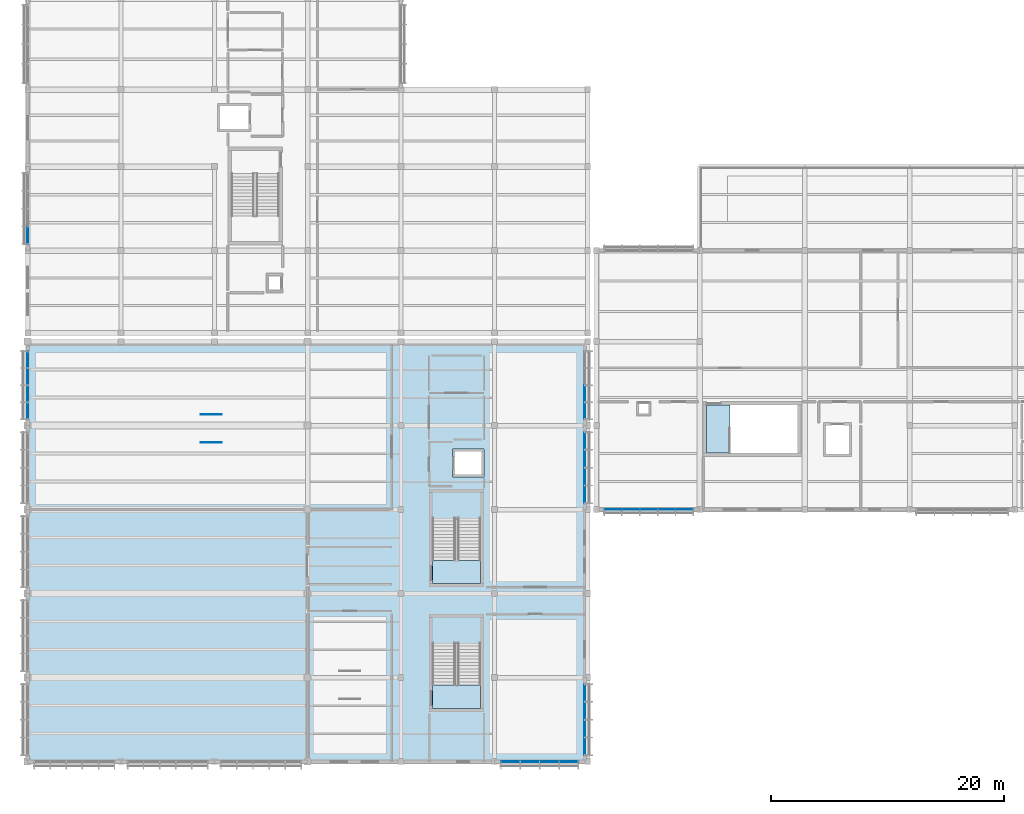
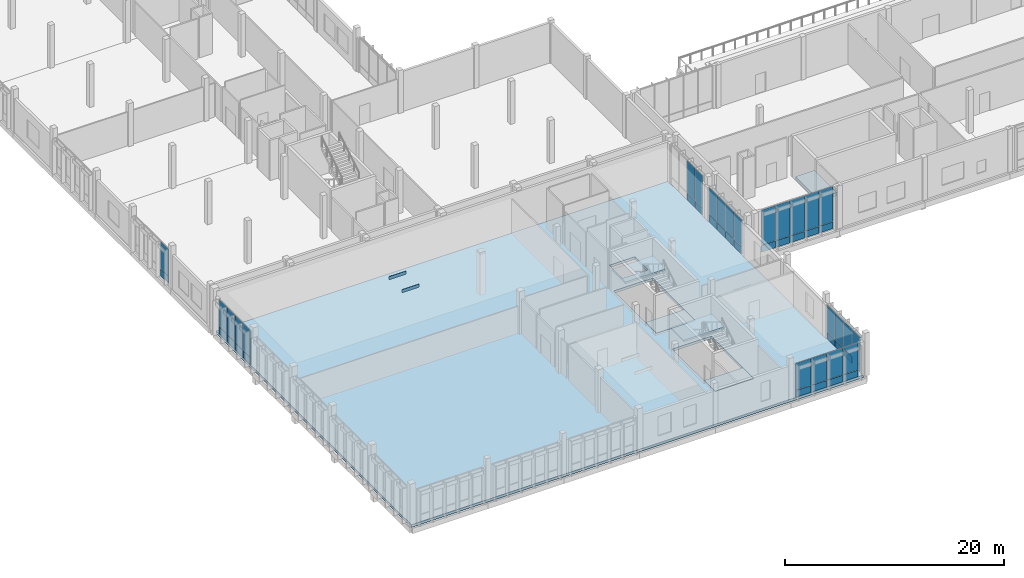
# One storey, part 133 of 177: 50 plates, 6 slabs, 9 elements without a shape of their own.
"""IFC4 building model written with IfcOpenShell, lengths in metres."""

from ifc_helpers import new_model, si_unit, direction, frame, origin, origin_2d, place, context, subcontext, project, spatial, polyline, rectangle, outline, extrude, material, layer, layer_set, type_object, element, aggregate, save


model = new_model("IFC4")

# Units and contexts
model_context = context("Model", 3, precision=1e-05, world=origin(), true_north=direction((0.0, 1.0)))
body_context = subcontext(model_context, "Body", "Model", "MODEL_VIEW")
ifc_project = project(units=[si_unit("LENGTHUNIT", "METRE"), si_unit("AREAUNIT", "SQUARE_METRE"), si_unit("VOLUMEUNIT", "CUBIC_METRE"), si_unit("PLANEANGLEUNIT", "RADIAN"), si_unit("MASSUNIT", "GRAM", prefix="KILO")], contexts=[model_context])

# Site, building, storey
site_placement = place(None, origin())
site = spatial("IfcSite", under=ifc_project, at=site_placement, CompositionType="ELEMENT")
building_placement = place(site_placement, origin())
building = spatial("IfcBuilding", under=site, at=building_placement, Name="Chiffa Square Polytechnic", CompositionType="ELEMENT")
storey_placement = place(building_placement, frame((0.0, 0.0, 4.800048828125)))
storey = spatial("IfcBuildingStorey", under=building, at=storey_placement, Name="L01", CompositionType="ELEMENT", Elevation=4.800048828125)

# Curtain wall, plates
ifc_material_1 = material(Name="Aluminium EN AW-6060 T66 and glulam shading", Category="wood")
curtain_wall_type_1 = type_object("IfcCurtainWallType", Name="CW-VERT-450X440", PredefinedType="USERDEFINED", material=ifc_material_1)
curtain_wall_1_placement = place(storey_placement, origin())
curtain_wall_1 = element("IfcCurtainWall", 1, at=curtain_wall_1_placement, inside=storey, type_object=curtain_wall_type_1, Name="Curtain wall CW-V3-L01-160", ObjectType="CURTAIN WALL", PredefinedType="USERDEFINED")
ifc_material_2 = material(Name="Double glazing", Category="glass")
ifc_layer_1 = layer(ifc_material_2, 0.0439453125, Name="Double glazing")
ifc_layer_set_1 = layer_set([ifc_layer_1], Name="Double glazing")
plate_type_1 = type_object("IfcPlateType", Name="CWP-GLZ-134X118", PredefinedType="CURTAIN_PANEL", material=ifc_layer_set_1)
plate_1_placement = place(storey_placement, frame((0.0, 34.465087890625, 0.839599609375), z_axis=(0.0, 0.0, 1.0), x_axis=(0.0, -1.0, 0.0)))
plate_1 = element("IfcPlate", 2, at=plate_1_placement, type_object=plate_type_1, Name="Glazed curtain panel CW-V3-L01-160-PN01", PredefinedType="CURTAIN_PANEL", context=body_context, shape_type="SweptSolid", body=[
    extrude(rectangle(XDim=1.39404296875, YDim=0.0439453125, at=origin_2d()), origin(), (0.0, 0.0, 1.0), 3.02490234375),
])
plate_2_placement = place(storey_placement, frame((0.0, 33.009033203125, 0.839599609375), z_axis=(0.0, 0.0, 1.0), x_axis=(0.0, -1.0, 0.0)))
plate_2 = element("IfcPlate", 3, at=plate_2_placement, type_object=plate_type_1, Name="Glazed curtain panel CW-V3-L01-160-PN02", PredefinedType="CURTAIN_PANEL", context=body_context, shape_type="SweptSolid", body=[
    extrude(rectangle(XDim=1.416015625, YDim=0.0439453125, at=origin_2d()), origin(), (0.0, 0.0, 1.0), 3.02490234375),
])
plate_3_placement = place(storey_placement, frame((0.0, 31.541015625, 0.839599609375), z_axis=(0.0, 0.0, 1.0), x_axis=(0.0, -1.0, 0.0)))
plate_3 = element("IfcPlate", 4, at=plate_3_placement, type_object=plate_type_1, Name="Glazed curtain panel CW-V3-L01-160-PN03", PredefinedType="CURTAIN_PANEL", context=body_context, shape_type="SweptSolid", body=[
    extrude(rectangle(XDim=1.416015625, YDim=0.0439453125, at=origin_2d()), origin(), (0.0, 0.0, 1.0), 3.02490234375),
])
plate_4_placement = place(storey_placement, frame((0.0, 30.0849609375, 0.839599609375), z_axis=(0.0, 0.0, 1.0), x_axis=(0.0, -1.0, 0.0)))
plate_4 = element("IfcPlate", 5, at=plate_4_placement, type_object=plate_type_1, Name="Glazed curtain panel CW-V3-L01-160-PN04", PredefinedType="CURTAIN_PANEL", context=body_context, shape_type="SweptSolid", body=[
    extrude(rectangle(XDim=1.39404296875, YDim=0.0439453125, at=origin_2d()), origin(), (0.0, 0.0, 1.0), 3.02490234375),
])

curtain_wall_type_2 = type_object("IfcCurtainWallType", Name="CW-VERT-540X440", PredefinedType="USERDEFINED", material=ifc_material_1)
curtain_wall_2_placement = place(storey_placement, origin())
curtain_wall_2 = element("IfcCurtainWall", 6, at=curtain_wall_2_placement, inside=storey, type_object=curtain_wall_type_2, Name="Curtain wall CW-V3-L01-159", ObjectType="CURTAIN WALL", PredefinedType="USERDEFINED")
ifc_layer_2 = layer(ifc_material_2, 0.0419921875, Name="Double glazing")
ifc_layer_set_2 = layer_set([ifc_layer_2], Name="Double glazing")
plate_type_2 = type_object("IfcPlateType", Name="CWP-GLZ-136X122", PredefinedType="CURTAIN_PANEL", material=ifc_layer_set_2)
plate_5_placement = place(storey_placement, frame((47.75, 30.0849609375, 0.83984375), z_axis=(0.0, 0.0, 1.0), x_axis=(0.0, 1.0, 0.0)))
plate_5 = element("IfcPlate", 7, at=plate_5_placement, type_object=plate_type_2, Name="Glazed curtain panel CW-V3-L01-159-PN01", PredefinedType="CURTAIN_PANEL", context=body_context, shape_type="SweptSolid", body=[
    extrude(rectangle(XDim=1.39404296875, YDim=0.0419921875, at=origin_2d()), origin(), (0.0, 0.0, 1.0), 3.590087890625),
])
plate_6_placement = place(storey_placement, frame((47.75, 31.541015625, 0.83984375), z_axis=(0.0, 0.0, 1.0), x_axis=(0.0, 1.0, 0.0)))
plate_6 = element("IfcPlate", 8, at=plate_6_placement, type_object=plate_type_2, Name="Glazed curtain panel CW-V3-L01-159-PN02", PredefinedType="CURTAIN_PANEL", context=body_context, shape_type="SweptSolid", body=[
    extrude(rectangle(XDim=1.416015625, YDim=0.0419921875, at=origin_2d()), origin(), (0.0, 0.0, 1.0), 3.590087890625),
])

curtain_wall_type_3 = type_object("IfcCurtainWallType", Name="CW-VERT-480X380", PredefinedType="USERDEFINED", material=ifc_material_1)
curtain_wall_3_placement = place(storey_placement, origin())
curtain_wall_3 = element("IfcCurtainWall", 9, at=curtain_wall_3_placement, inside=storey, type_object=curtain_wall_type_3, Name="Curtain wall CW-V3-L01-158", ObjectType="CURTAIN WALL", PredefinedType="USERDEFINED")
ifc_layer_3 = layer(ifc_material_2, 0.0419921875, Name="Double glazing")
ifc_layer_set_3 = layer_set([ifc_layer_3], Name="Double glazing")
plate_type_3 = type_object("IfcPlateType", Name="CWP-GLZ-138X126", PredefinedType="CURTAIN_PANEL", material=ifc_layer_set_3)
plate_7_placement = place(storey_placement, frame((47.75, 22.916015625, 0.839599609375), z_axis=(0.0, 0.0, 1.0), x_axis=(0.0, 1.0, 0.0)))
plate_7 = element("IfcPlate", 10, at=plate_7_placement, type_object=plate_type_3, Name="Glazed curtain panel CW-V3-L01-158-PN01", PredefinedType="CURTAIN_PANEL", context=body_context, shape_type="SweptSolid", body=[
    extrude(rectangle(XDim=1.4560546875, YDim=0.0419921875, at=origin_2d()), origin(), (0.0, 0.0, 1.0), 3.02490234375),
])
plate_8_placement = place(storey_placement, frame((47.75, 24.43505859375, 0.839599609375), z_axis=(0.0, 0.0, 1.0), x_axis=(0.0, 1.0, 0.0)))
plate_8 = element("IfcPlate", 11, at=plate_8_placement, type_object=plate_type_3, Name="Glazed curtain panel CW-V3-L01-158-PN02", PredefinedType="CURTAIN_PANEL", context=body_context, shape_type="SweptSolid", body=[
    extrude(rectangle(XDim=1.47802734375, YDim=0.0419921875, at=origin_2d()), origin(), (0.0, 0.0, 1.0), 3.02490234375),
])
plate_9_placement = place(storey_placement, frame((47.75, 25.965087890625, 0.839599609375), z_axis=(0.0, 0.0, 1.0), x_axis=(0.0, 1.0, 0.0)))
plate_9 = element("IfcPlate", 12, at=plate_9_placement, type_object=plate_type_3, Name="Glazed curtain panel CW-V3-L01-158-PN03", PredefinedType="CURTAIN_PANEL", context=body_context, shape_type="SweptSolid", body=[
    extrude(rectangle(XDim=1.47802734375, YDim=0.0419921875, at=origin_2d()), origin(), (0.0, 0.0, 1.0), 3.02490234375),
])
plate_10_placement = place(storey_placement, frame((47.75, 27.48388671875, 0.839599609375), z_axis=(0.0, 0.0, 1.0), x_axis=(0.0, 1.0, 0.0)))
plate_10 = element("IfcPlate", 13, at=plate_10_placement, type_object=plate_type_3, Name="Glazed curtain panel CW-V3-L01-158-PN04", PredefinedType="CURTAIN_PANEL", context=body_context, shape_type="SweptSolid", body=[
    extrude(rectangle(XDim=1.4560546875, YDim=0.0419921875, at=origin_2d()), origin(), (0.0, 0.0, 1.0), 3.02490234375),
])

curtain_wall_type_4 = type_object("IfcCurtainWallType", Name="CW-VERT-360X380", PredefinedType="USERDEFINED", material=ifc_material_1)
curtain_wall_4_placement = place(storey_placement, origin())
curtain_wall_4 = element("IfcCurtainWall", 14, at=curtain_wall_4_placement, inside=storey, type_object=curtain_wall_type_4, Name="Curtain wall CW-V3-L01-157", ObjectType="CURTAIN WALL", PredefinedType="USERDEFINED")
ifc_layer_4 = layer(ifc_material_2, 0.0400390625, Name="Double glazing")
ifc_layer_set_4 = layer_set([ifc_layer_4], Name="Double glazing")
plate_type_4 = type_object("IfcPlateType", Name="CWP-GLZ-140X130", PredefinedType="CURTAIN_PANEL", material=ifc_layer_set_4)
plate_11_placement = place(storey_placement, frame((47.75, 1.31591796875, 0.839599609375), z_axis=(0.0, 0.0, 1.0), x_axis=(0.0, 1.0, 0.0)))
plate_11 = element("IfcPlate", 15, at=plate_11_placement, type_object=plate_type_4, Name="Glazed curtain panel CW-V3-L01-157-PN01", PredefinedType="CURTAIN_PANEL", context=body_context, shape_type="SweptSolid", body=[
    extrude(rectangle(XDim=1.4560546875, YDim=0.0400390625, at=origin_2d()), origin(), (0.0, 0.0, 1.0), 3.02490234375),
])
plate_12_placement = place(storey_placement, frame((47.75, 2.8349609375, 0.839599609375), z_axis=(0.0, 0.0, 1.0), x_axis=(0.0, 1.0, 0.0)))
plate_12 = element("IfcPlate", 16, at=plate_12_placement, type_object=plate_type_4, Name="Glazed curtain panel CW-V3-L01-157-PN02", PredefinedType="CURTAIN_PANEL", context=body_context, shape_type="SweptSolid", body=[
    extrude(rectangle(XDim=1.47802734375, YDim=0.0400390625, at=origin_2d()), origin(), (0.0, 0.0, 1.0), 3.02490234375),
])
plate_13_placement = place(storey_placement, frame((47.75, 4.364990234375, 0.839599609375), z_axis=(0.0, 0.0, 1.0), x_axis=(0.0, 1.0, 0.0)))
plate_13 = element("IfcPlate", 17, at=plate_13_placement, type_object=plate_type_4, Name="Glazed curtain panel CW-V3-L01-157-PN03", PredefinedType="CURTAIN_PANEL", context=body_context, shape_type="SweptSolid", body=[
    extrude(rectangle(XDim=1.47802734375, YDim=0.0400390625, at=origin_2d()), origin(), (0.0, 0.0, 1.0), 3.02490234375),
])
plate_14_placement = place(storey_placement, frame((47.75, 5.884033203125, 0.839599609375), z_axis=(0.0, 0.0, 1.0), x_axis=(0.0, 1.0, 0.0)))
plate_14 = element("IfcPlate", 18, at=plate_14_placement, type_object=plate_type_4, Name="Glazed curtain panel CW-V3-L01-157-PN04", PredefinedType="CURTAIN_PANEL", context=body_context, shape_type="SweptSolid", body=[
    extrude(rectangle(XDim=1.4560546875, YDim=0.0400390625, at=origin_2d()), origin(), (0.0, 0.0, 1.0), 3.02490234375),
])

curtain_wall_type_5 = type_object("IfcCurtainWallType", Name="CW-VERT-600X380", PredefinedType="USERDEFINED", material=ifc_material_1)
curtain_wall_5_placement = place(storey_placement, origin())
curtain_wall_5 = element("IfcCurtainWall", 19, at=curtain_wall_5_placement, inside=storey, type_object=curtain_wall_type_5, Name="Curtain wall CW-V3-L01-156", ObjectType="CURTAIN WALL", PredefinedType="USERDEFINED")
ifc_layer_5 = layer(ifc_material_2, 0.0400390625, Name="Double glazing")
ifc_layer_set_5 = layer_set([ifc_layer_5], Name="Double glazing")
plate_type_5 = type_object("IfcPlateType", Name="CWP-GLZ-144X134", PredefinedType="CURTAIN_PANEL", material=ifc_layer_set_5)
plate_15_placement = place(storey_placement, frame((41.385009765625, 0.0, 0.83935546875), z_axis=(0.0, 0.0, 1.0), x_axis=(1.0, 0.0, 0.0)))
plate_15 = element("IfcPlate", 20, at=plate_15_placement, type_object=plate_type_5, Name="Glazed curtain panel CW-V3-L01-156-PN01", PredefinedType="CURTAIN_PANEL", context=body_context, shape_type="SweptSolid", body=[
    extrude(rectangle(XDim=1.593994140625, YDim=0.0400390625, at=origin_2d()), origin(), (0.0, 0.0, 1.0), 2.97509765625),
])
plate_16_placement = place(storey_placement, frame((43.041015625, 0.0, 0.83935546875), z_axis=(0.0, 0.0, 1.0), x_axis=(1.0, 0.0, 0.0)))
plate_16 = element("IfcPlate", 21, at=plate_16_placement, type_object=plate_type_5, Name="Glazed curtain panel CW-V3-L01-156-PN02", PredefinedType="CURTAIN_PANEL", context=body_context, shape_type="SweptSolid", body=[
    extrude(rectangle(XDim=1.615966796875, YDim=0.0400390625, at=origin_2d()), origin(), (0.0, 0.0, 1.0), 2.97509765625),
])
plate_17_placement = place(storey_placement, frame((44.708984375, 0.0, 0.83935546875), z_axis=(0.0, 0.0, 1.0), x_axis=(1.0, 0.0, 0.0)))
plate_17 = element("IfcPlate", 22, at=plate_17_placement, type_object=plate_type_5, Name="Glazed curtain panel CW-V3-L01-156-PN03", PredefinedType="CURTAIN_PANEL", context=body_context, shape_type="SweptSolid", body=[
    extrude(rectangle(XDim=1.615966796875, YDim=0.0400390625, at=origin_2d()), origin(), (0.0, 0.0, 1.0), 2.97509765625),
])
plate_18_placement = place(storey_placement, frame((46.364990234375, 0.0, 0.83935546875), z_axis=(0.0, 0.0, 1.0), x_axis=(1.0, 0.0, 0.0)))
plate_18 = element("IfcPlate", 23, at=plate_18_placement, type_object=plate_type_5, Name="Glazed curtain panel CW-V3-L01-156-PN04", PredefinedType="CURTAIN_PANEL", context=body_context, shape_type="SweptSolid", body=[
    extrude(rectangle(XDim=1.593994140625, YDim=0.0400390625, at=origin_2d()), origin(), (0.0, 0.0, 1.0), 2.97509765625),
])

curtain_wall_6_placement = place(storey_placement, origin())
curtain_wall_6 = element("IfcCurtainWall", 24, at=curtain_wall_6_placement, inside=storey, type_object=curtain_wall_type_2, Name="Curtain wall CW-V4-L01-183", ObjectType="CURTAIN WALL", PredefinedType="USERDEFINED")
ifc_layer_6 = layer(ifc_material_2, 0.0380859375, Name="Double glazing")
ifc_layer_set_6 = layer_set([ifc_layer_6], Name="Double glazing")
plate_type_6 = type_object("IfcPlateType", Name="CWP-GLZ-146X138", PredefinedType="CURTAIN_PANEL", material=ifc_layer_set_6)
plate_19_placement = place(storey_placement, frame((50.16796875, 21.60009765625, 0.83984375), z_axis=(0.0, 0.0, 1.0), x_axis=(1.0, 0.0, 0.0)))
plate_19 = element("IfcPlate", 25, at=plate_19_placement, type_object=plate_type_6, Name="Glazed curtain panel CW-V4-L01-183-PN01", PredefinedType="CURTAIN_PANEL", context=body_context, shape_type="SweptSolid", body=[
    extrude(rectangle(XDim=1.4599609375, YDim=0.0380859375, at=origin_2d()), origin(), (0.0, 0.0, 1.0), 3.909912109375),
])
plate_20_placement = place(storey_placement, frame((51.69091796875, 21.60009765625, 0.83984375), z_axis=(0.0, 0.0, 1.0), x_axis=(1.0, 0.0, 0.0)))
plate_20 = element("IfcPlate", 26, at=plate_20_placement, type_object=plate_type_6, Name="Glazed curtain panel CW-V4-L01-183-PN02", PredefinedType="CURTAIN_PANEL", context=body_context, shape_type="SweptSolid", body=[
    extrude(rectangle(XDim=1.48193359375, YDim=0.0380859375, at=origin_2d()), origin(), (0.0, 0.0, 1.0), 3.909912109375),
])
plate_21_placement = place(storey_placement, frame((53.22509765625, 21.60009765625, 0.83984375), z_axis=(0.0, 0.0, 1.0), x_axis=(1.0, 0.0, 0.0)))
plate_21 = element("IfcPlate", 27, at=plate_21_placement, type_object=plate_type_6, Name="Glazed curtain panel CW-V4-L01-183-PN03", PredefinedType="CURTAIN_PANEL", context=body_context, shape_type="SweptSolid", body=[
    extrude(rectangle(XDim=1.48193359375, YDim=0.0380859375, at=origin_2d()), origin(), (0.0, 0.0, 1.0), 3.909912109375),
])
plate_22_placement = place(storey_placement, frame((54.759033203125, 21.60009765625, 0.83984375), z_axis=(0.0, 0.0, 1.0), x_axis=(1.0, 0.0, 0.0)))
plate_22 = element("IfcPlate", 28, at=plate_22_placement, type_object=plate_type_6, Name="Glazed curtain panel CW-V4-L01-183-PN04", PredefinedType="CURTAIN_PANEL", context=body_context, shape_type="SweptSolid", body=[
    extrude(rectangle(XDim=1.48193359375, YDim=0.0380859375, at=origin_2d()), origin(), (0.0, 0.0, 1.0), 3.909912109375),
])
plate_23_placement = place(storey_placement, frame((56.281982421875, 21.60009765625, 0.83984375), z_axis=(0.0, 0.0, 1.0), x_axis=(1.0, 0.0, 0.0)))
plate_23 = element("IfcPlate", 29, at=plate_23_placement, type_object=plate_type_6, Name="Glazed curtain panel CW-V4-L01-183-PN05", PredefinedType="CURTAIN_PANEL", context=body_context, shape_type="SweptSolid", body=[
    extrude(rectangle(XDim=1.4599609375, YDim=0.0380859375, at=origin_2d()), origin(), (0.0, 0.0, 1.0), 3.909912109375),
])

# Curtain wall, plate
curtain_wall_7_placement = place(storey_placement, origin())
curtain_wall_7 = element("IfcCurtainWall", 30, at=curtain_wall_7_placement, inside=storey, type_object=curtain_wall_type_3, Name="Curtain wall CW-V6-L01-262", ObjectType="CURTAIN WALL", PredefinedType="USERDEFINED")
ifc_layer_7 = layer(ifc_material_2, 0.035888671875, Name="Double glazing")
ifc_layer_set_7 = layer_set([ifc_layer_7], Name="Double glazing")
plate_type_7 = type_object("IfcPlateType", Name="CWP-GLZ-150X145", PredefinedType="CURTAIN_PANEL", material=ifc_layer_set_7)
plate_24_placement = place(storey_placement, frame((0.0, 45.115966796875, 0.839599609375), z_axis=(0.0, 0.0, 1.0), x_axis=(0.0, -1.0, 0.0)))
plate_24 = element("IfcPlate", 31, at=plate_24_placement, type_object=plate_type_7, Name="Glazed curtain panel CW-V6-L01-262-PN04", PredefinedType="CURTAIN_PANEL", context=body_context, shape_type="SweptSolid", body=[
    extrude(rectangle(XDim=1.4560546875, YDim=0.035888671875, at=origin_2d()), origin(), (0.0, 0.0, 1.0), 3.02490234375),
])

# Plate
ifc_material_3 = material(Name="Aluminium insulated spandrel", Category="aluminium")
ifc_layer_8 = layer(ifc_material_3, 0.072021484375, Name="Aluminium insulated spandrel")
ifc_layer_set_8 = layer_set([ifc_layer_8], Name="Aluminium insulated spandrel")
plate_type_8 = type_object("IfcPlateType", Name="CWP-SPN-136X072", PredefinedType="SHEET", material=ifc_layer_set_8)
plate_25_placement = place(storey_placement, frame((47.75, 1.31591796875, 0.050048828125), z_axis=(0.0, 0.0, 1.0), x_axis=(0.0, 1.0, 0.0)))
plate_25 = element("IfcPlate", 32, at=plate_25_placement, type_object=plate_type_8, Name="Spandrel panel CW-V3-L01-157-SP01", PredefinedType="SHEET", context=body_context, shape_type="SweptSolid", body=[
    extrude(rectangle(XDim=1.4560546875, YDim=0.072021484375, at=origin_2d()), origin(), (0.0, 0.0, 1.0), 0.75),
])

plate_26_placement = place(storey_placement, frame((47.75, 2.8349609375, 0.050048828125), z_axis=(0.0, 0.0, 1.0), x_axis=(0.0, 1.0, 0.0)))
plate_26 = element("IfcPlate", 33, at=plate_26_placement, type_object=plate_type_8, Name="Spandrel panel CW-V3-L01-157-SP02", PredefinedType="SHEET", context=body_context, shape_type="SweptSolid", body=[
    extrude(rectangle(XDim=1.47802734375, YDim=0.072021484375, at=origin_2d()), origin(), (0.0, 0.0, 1.0), 0.75),
])

plate_27_placement = place(storey_placement, frame((47.75, 4.364990234375, 0.050048828125), z_axis=(0.0, 0.0, 1.0), x_axis=(0.0, 1.0, 0.0)))
plate_27 = element("IfcPlate", 34, at=plate_27_placement, type_object=plate_type_8, Name="Spandrel panel CW-V3-L01-157-SP03", PredefinedType="SHEET", context=body_context, shape_type="SweptSolid", body=[
    extrude(rectangle(XDim=1.47802734375, YDim=0.072021484375, at=origin_2d()), origin(), (0.0, 0.0, 1.0), 0.75),
])

plate_28_placement = place(storey_placement, frame((47.75, 5.884033203125, 0.050048828125), z_axis=(0.0, 0.0, 1.0), x_axis=(0.0, 1.0, 0.0)))
plate_28 = element("IfcPlate", 35, at=plate_28_placement, type_object=plate_type_8, Name="Spandrel panel CW-V3-L01-157-SP04", PredefinedType="SHEET", context=body_context, shape_type="SweptSolid", body=[
    extrude(rectangle(XDim=1.4560546875, YDim=0.072021484375, at=origin_2d()), origin(), (0.0, 0.0, 1.0), 0.75),
])

aggregate(curtain_wall_4, [plate_25, plate_11, plate_26, plate_12, plate_27, plate_13, plate_28, plate_14])

ifc_layer_9 = layer(ifc_material_3, 0.070068359375, Name="Aluminium insulated spandrel")
ifc_layer_set_9 = layer_set([ifc_layer_9], Name="Aluminium insulated spandrel")
plate_type_9 = type_object("IfcPlateType", Name="CWP-SPN-138X074", PredefinedType="SHEET", material=ifc_layer_set_9)
plate_29_placement = place(storey_placement, frame((41.385009765625, 0.0, 0.050048828125), z_axis=(0.0, 0.0, 1.0), x_axis=(1.0, 0.0, 0.0)))
plate_29 = element("IfcPlate", 36, at=plate_29_placement, type_object=plate_type_9, Name="Spandrel panel CW-V3-L01-156-SP01", PredefinedType="SHEET", context=body_context, shape_type="SweptSolid", body=[
    extrude(rectangle(XDim=1.593994140625, YDim=0.070068359375, at=origin_2d()), origin(), (0.0, 0.0, 1.0), 0.75),
])

plate_30_placement = place(storey_placement, frame((43.041015625, 0.0, 0.050048828125), z_axis=(0.0, 0.0, 1.0), x_axis=(1.0, 0.0, 0.0)))
plate_30 = element("IfcPlate", 37, at=plate_30_placement, type_object=plate_type_9, Name="Spandrel panel CW-V3-L01-156-SP02", PredefinedType="SHEET", context=body_context, shape_type="SweptSolid", body=[
    extrude(rectangle(XDim=1.615966796875, YDim=0.070068359375, at=origin_2d()), origin(), (0.0, 0.0, 1.0), 0.75),
])

plate_31_placement = place(storey_placement, frame((44.708984375, 0.0, 0.050048828125), z_axis=(0.0, 0.0, 1.0), x_axis=(1.0, 0.0, 0.0)))
plate_31 = element("IfcPlate", 38, at=plate_31_placement, type_object=plate_type_9, Name="Spandrel panel CW-V3-L01-156-SP03", PredefinedType="SHEET", context=body_context, shape_type="SweptSolid", body=[
    extrude(rectangle(XDim=1.615966796875, YDim=0.070068359375, at=origin_2d()), origin(), (0.0, 0.0, 1.0), 0.75),
])

plate_32_placement = place(storey_placement, frame((46.364990234375, 0.0, 0.050048828125), z_axis=(0.0, 0.0, 1.0), x_axis=(1.0, 0.0, 0.0)))
plate_32 = element("IfcPlate", 39, at=plate_32_placement, type_object=plate_type_9, Name="Spandrel panel CW-V3-L01-156-SP04", PredefinedType="SHEET", context=body_context, shape_type="SweptSolid", body=[
    extrude(rectangle(XDim=1.593994140625, YDim=0.070068359375, at=origin_2d()), origin(), (0.0, 0.0, 1.0), 0.75),
])

aggregate(curtain_wall_5, [plate_29, plate_15, plate_30, plate_16, plate_31, plate_17, plate_32, plate_18])

ifc_layer_10 = layer(ifc_material_3, 0.06201171875, Name="Aluminium insulated spandrel")
ifc_layer_set_10 = layer_set([ifc_layer_10], Name="Aluminium insulated spandrel")
plate_type_10 = type_object("IfcPlateType", Name="CWP-SPN-148X084", PredefinedType="SHEET", material=ifc_layer_set_10)
plate_33_placement = place(storey_placement, frame((0.0, 34.465087890625, 0.050048828125), z_axis=(0.0, 0.0, 1.0), x_axis=(0.0, -1.0, 0.0)))
plate_33 = element("IfcPlate", 40, at=plate_33_placement, type_object=plate_type_10, Name="Spandrel panel CW-V3-L01-160-SP01", PredefinedType="SHEET", context=body_context, shape_type="SweptSolid", body=[
    extrude(rectangle(XDim=1.39404296875, YDim=0.06201171875, at=origin_2d()), origin(), (0.0, 0.0, 1.0), 0.75),
])

plate_34_placement = place(storey_placement, frame((0.0, 33.009033203125, 0.050048828125), z_axis=(0.0, 0.0, 1.0), x_axis=(0.0, -1.0, 0.0)))
plate_34 = element("IfcPlate", 41, at=plate_34_placement, type_object=plate_type_10, Name="Spandrel panel CW-V3-L01-160-SP02", PredefinedType="SHEET", context=body_context, shape_type="SweptSolid", body=[
    extrude(rectangle(XDim=1.416015625, YDim=0.06201171875, at=origin_2d()), origin(), (0.0, 0.0, 1.0), 0.75),
])

plate_35_placement = place(storey_placement, frame((0.0, 31.541015625, 0.050048828125), z_axis=(0.0, 0.0, 1.0), x_axis=(0.0, -1.0, 0.0)))
plate_35 = element("IfcPlate", 42, at=plate_35_placement, type_object=plate_type_10, Name="Spandrel panel CW-V3-L01-160-SP03", PredefinedType="SHEET", context=body_context, shape_type="SweptSolid", body=[
    extrude(rectangle(XDim=1.416015625, YDim=0.06201171875, at=origin_2d()), origin(), (0.0, 0.0, 1.0), 0.75),
])

plate_36_placement = place(storey_placement, frame((0.0, 30.0849609375, 0.050048828125), z_axis=(0.0, 0.0, 1.0), x_axis=(0.0, -1.0, 0.0)))
plate_36 = element("IfcPlate", 43, at=plate_36_placement, type_object=plate_type_10, Name="Spandrel panel CW-V3-L01-160-SP04", PredefinedType="SHEET", context=body_context, shape_type="SweptSolid", body=[
    extrude(rectangle(XDim=1.39404296875, YDim=0.06201171875, at=origin_2d()), origin(), (0.0, 0.0, 1.0), 0.75),
])

aggregate(curtain_wall_1, [plate_33, plate_1, plate_34, plate_2, plate_35, plate_3, plate_36, plate_4])

ifc_layer_11 = layer(ifc_material_3, 0.06005859375, Name="Aluminium insulated spandrel")
ifc_layer_set_11 = layer_set([ifc_layer_11], Name="Aluminium insulated spandrel")
plate_type_11 = type_object("IfcPlateType", Name="CWP-SPN-150X080", PredefinedType="SHEET", material=ifc_layer_set_11)
plate_37_placement = place(storey_placement, frame((47.75, 30.0849609375, 0.050048828125), z_axis=(0.0, 0.0, 1.0), x_axis=(0.0, 1.0, 0.0)))
plate_37 = element("IfcPlate", 44, at=plate_37_placement, type_object=plate_type_11, Name="Spandrel panel CW-V3-L01-159-SP01", PredefinedType="SHEET", context=body_context, shape_type="SweptSolid", body=[
    extrude(rectangle(XDim=1.39404296875, YDim=0.06005859375, at=origin_2d()), origin(), (0.0, 0.0, 1.0), 0.75),
])

plate_38_placement = place(storey_placement, frame((47.75, 31.541015625, 0.050048828125), z_axis=(0.0, 0.0, 1.0), x_axis=(0.0, 1.0, 0.0)))
plate_38 = element("IfcPlate", 45, at=plate_38_placement, type_object=plate_type_11, Name="Spandrel panel CW-V3-L01-159-SP02", PredefinedType="SHEET", context=body_context, shape_type="SweptSolid", body=[
    extrude(rectangle(XDim=1.416015625, YDim=0.06005859375, at=origin_2d()), origin(), (0.0, 0.0, 1.0), 0.75),
])

aggregate(curtain_wall_2, [plate_37, plate_5, plate_38, plate_6])

plate_39_placement = place(storey_placement, frame((50.16796875, 21.60009765625, 0.050048828125), z_axis=(0.0, 0.0, 1.0), x_axis=(1.0, 0.0, 0.0)))
plate_39 = element("IfcPlate", 46, at=plate_39_placement, type_object=plate_type_11, Name="Spandrel panel CW-V4-L01-183-SP01", PredefinedType="SHEET", context=body_context, shape_type="SweptSolid", body=[
    extrude(rectangle(XDim=1.4599609375, YDim=0.06005859375, at=origin_2d()), origin(), (0.0, 0.0, 1.0), 0.75),
])

plate_40_placement = place(storey_placement, frame((51.69091796875, 21.60009765625, 0.050048828125), z_axis=(0.0, 0.0, 1.0), x_axis=(1.0, 0.0, 0.0)))
plate_40 = element("IfcPlate", 47, at=plate_40_placement, type_object=plate_type_11, Name="Spandrel panel CW-V4-L01-183-SP02", PredefinedType="SHEET", context=body_context, shape_type="SweptSolid", body=[
    extrude(rectangle(XDim=1.48193359375, YDim=0.06005859375, at=origin_2d()), origin(), (0.0, 0.0, 1.0), 0.75),
])

plate_41_placement = place(storey_placement, frame((53.22509765625, 21.60009765625, 0.050048828125), z_axis=(0.0, 0.0, 1.0), x_axis=(1.0, 0.0, 0.0)))
plate_41 = element("IfcPlate", 48, at=plate_41_placement, type_object=plate_type_11, Name="Spandrel panel CW-V4-L01-183-SP03", PredefinedType="SHEET", context=body_context, shape_type="SweptSolid", body=[
    extrude(rectangle(XDim=1.48193359375, YDim=0.06005859375, at=origin_2d()), origin(), (0.0, 0.0, 1.0), 0.75),
])

plate_42_placement = place(storey_placement, frame((54.759033203125, 21.60009765625, 0.050048828125), z_axis=(0.0, 0.0, 1.0), x_axis=(1.0, 0.0, 0.0)))
plate_42 = element("IfcPlate", 49, at=plate_42_placement, type_object=plate_type_11, Name="Spandrel panel CW-V4-L01-183-SP04", PredefinedType="SHEET", context=body_context, shape_type="SweptSolid", body=[
    extrude(rectangle(XDim=1.48193359375, YDim=0.06005859375, at=origin_2d()), origin(), (0.0, 0.0, 1.0), 0.75),
])

plate_43_placement = place(storey_placement, frame((56.281982421875, 21.60009765625, 0.050048828125), z_axis=(0.0, 0.0, 1.0), x_axis=(1.0, 0.0, 0.0)))
plate_43 = element("IfcPlate", 50, at=plate_43_placement, type_object=plate_type_11, Name="Spandrel panel CW-V4-L01-183-SP05", PredefinedType="SHEET", context=body_context, shape_type="SweptSolid", body=[
    extrude(rectangle(XDim=1.4599609375, YDim=0.06005859375, at=origin_2d()), origin(), (0.0, 0.0, 1.0), 0.75),
])

aggregate(curtain_wall_6, [plate_39, plate_19, plate_40, plate_20, plate_41, plate_21, plate_42, plate_22, plate_43, plate_23])

ifc_layer_12 = layer(ifc_material_3, 0.06005859375, Name="Aluminium insulated spandrel")
ifc_layer_set_12 = layer_set([ifc_layer_12], Name="Aluminium insulated spandrel")
plate_type_12 = type_object("IfcPlateType", Name="CWP-SPN-150X095", PredefinedType="SHEET", material=ifc_layer_set_12)
plate_44_placement = place(storey_placement, frame((47.75, 22.916015625, 0.050048828125), z_axis=(0.0, 0.0, 1.0), x_axis=(0.0, 1.0, 0.0)))
plate_44 = element("IfcPlate", 51, at=plate_44_placement, type_object=plate_type_12, Name="Spandrel panel CW-V3-L01-158-SP01", PredefinedType="SHEET", context=body_context, shape_type="SweptSolid", body=[
    extrude(rectangle(XDim=1.4560546875, YDim=0.06005859375, at=origin_2d()), origin(), (0.0, 0.0, 1.0), 0.75),
])

plate_45_placement = place(storey_placement, frame((47.75, 24.43505859375, 0.050048828125), z_axis=(0.0, 0.0, 1.0), x_axis=(0.0, 1.0, 0.0)))
plate_45 = element("IfcPlate", 52, at=plate_45_placement, type_object=plate_type_12, Name="Spandrel panel CW-V3-L01-158-SP02", PredefinedType="SHEET", context=body_context, shape_type="SweptSolid", body=[
    extrude(rectangle(XDim=1.47802734375, YDim=0.06005859375, at=origin_2d()), origin(), (0.0, 0.0, 1.0), 0.75),
])

plate_46_placement = place(storey_placement, frame((47.75, 25.965087890625, 0.050048828125), z_axis=(0.0, 0.0, 1.0), x_axis=(0.0, 1.0, 0.0)))
plate_46 = element("IfcPlate", 53, at=plate_46_placement, type_object=plate_type_12, Name="Spandrel panel CW-V3-L01-158-SP03", PredefinedType="SHEET", context=body_context, shape_type="SweptSolid", body=[
    extrude(rectangle(XDim=1.47802734375, YDim=0.06005859375, at=origin_2d()), origin(), (0.0, 0.0, 1.0), 0.75),
])

plate_47_placement = place(storey_placement, frame((47.75, 27.48388671875, 0.050048828125), z_axis=(0.0, 0.0, 1.0), x_axis=(0.0, 1.0, 0.0)))
plate_47 = element("IfcPlate", 54, at=plate_47_placement, type_object=plate_type_12, Name="Spandrel panel CW-V3-L01-158-SP04", PredefinedType="SHEET", context=body_context, shape_type="SweptSolid", body=[
    extrude(rectangle(XDim=1.4560546875, YDim=0.06005859375, at=origin_2d()), origin(), (0.0, 0.0, 1.0), 0.75),
])

aggregate(curtain_wall_3, [plate_44, plate_7, plate_45, plate_8, plate_46, plate_9, plate_47, plate_10])

plate_48_placement = place(storey_placement, frame((0.0, 45.115966796875, 0.050048828125), z_axis=(0.0, 0.0, 1.0), x_axis=(0.0, -1.0, 0.0)))
plate_48 = element("IfcPlate", 55, at=plate_48_placement, type_object=plate_type_12, Name="Spandrel panel CW-V6-L01-262-SP04", PredefinedType="SHEET", context=body_context, shape_type="SweptSolid", body=[
    extrude(rectangle(XDim=1.4560546875, YDim=0.06005859375, at=origin_2d()), origin(), (0.0, 0.0, 1.0), 0.75),
])

aggregate(curtain_wall_7, [plate_48, plate_24])

# Plates
ifc_material_4 = material(Name="Glulam GL28h", Category="wood")
ifc_layer_13 = layer(ifc_material_4, 0.320068359375, Name="Glulam GL28h")
ifc_layer_set_13 = layer_set([ifc_layer_13], Name="Glulam GL28h")
plate_type_13 = type_object("IfcPlateType", Name="PLT-BAFFLE-1800", PredefinedType="USERDEFINED", material=ifc_layer_set_13)
for number, where, z_axis, x_axis, name in (
    (56, (15.7099609375, 27.364990234375, 4.162109375), (0.0, 0.0, 1.0), (1.0, 0.0, 0.0), "Acoustic timber ceiling baffle AB-V3-L01-009"),
    (57, (15.7099609375, 29.764892578125, 4.162109375), (0.0, 0.0, 1.0), (1.0, 0.0, 0.0), "Acoustic timber ceiling baffle AB-V3-L01-010"),
):
    element("IfcPlate", number, at=place(storey_placement, frame(where, z_axis=z_axis, x_axis=x_axis)), inside=storey, type_object=plate_type_13, Name=name, ObjectType="ACOUSTIC BAFFLE", PredefinedType="USERDEFINED", context=body_context, shape_type="SweptSolid", body=[
        extrude(rectangle(XDim=1.800048828125, YDim=0.050048828125, at=origin_2d()), origin(), (0.0, 0.0, 1.0), 0.320068359375),
    ])

# Slabs
ifc_material_5 = material(Name="Concrete C35/45", Category="concrete")
ifc_layer_14 = layer(ifc_material_5, 0.280029296875, Name="Concrete C35/45")
ifc_layer_set_14 = layer_set([ifc_layer_14], Name="Concrete C35/45")
slab_type_1 = type_object("IfcSlabType", Name="SLB-FLR-280", PredefinedType="FLOOR", material=ifc_layer_set_14)
slab_1_placement = place(storey_placement, frame((0.0, 0.0, -0.280029296875)))
element("IfcSlab", 58, at=slab_1_placement, inside=storey, type_object=slab_type_1, Name="V3 L01 structural slab SLB-V3-L01-012", PredefinedType="FLOOR", context=body_context, shape_type="SweptSolid", body=[
    extrude(outline(polyline([(0.0, 35.75), (47.75, 35.75), (47.75, 0.0), (0.0, 0.0), (0.0, 35.75)]), holes=[polyline([(34.699951171875, 4.550048828125), (34.699951171875, 12.35009765625), (38.800048828125, 12.35009765625), (38.800048828125, 4.550048828125), (34.699951171875, 4.550048828125)]), polyline([(34.699951171875, 15.25), (34.699951171875, 23.050048828125), (38.800048828125, 23.050048828125), (38.800048828125, 15.25), (34.699951171875, 15.25)]), polyline([(36.39990234375, 26.800048828125), (39.10009765625, 26.800048828125), (39.10009765625, 24.39990234375), (36.39990234375, 24.39990234375), (36.39990234375, 26.800048828125)])]), origin(), (0.0, 0.0, 1.0), 0.280029296875),
])
ifc_material_6 = material(Name="Concrete C40/50", Category="concrete")
ifc_layer_15 = layer(ifc_material_6, 0.35009765625, Name="Concrete C40/50")
ifc_layer_set_15 = layer_set([ifc_layer_15], Name="Concrete C40/50")
slab_type_2 = type_object("IfcSlabType", Name="SLB-FLR-350", PredefinedType="FLOOR", material=ifc_layer_set_15)
slab_2_placement = place(storey_placement, frame((0.0, 0.0, -0.35009765625)))
element("IfcSlab", 59, at=slab_2_placement, inside=storey, type_object=slab_type_2, Name="Stair core floor landing slab SLB-CORE-CORE-V3A-L01", PredefinedType="FLOOR", context=body_context, shape_type="SweptSolid", body=[
    extrude(outline(polyline([(38.800048828125, 4.550048828125), (38.800048828125, 6.56201171875), (34.699951171875, 6.56201171875), (34.699951171875, 4.550048828125), (38.800048828125, 4.550048828125)])), origin(), (0.0, 0.0, 1.0), 0.35009765625),
])
slab_3_placement = place(storey_placement, frame((0.0, 0.0, -0.35009765625)))
element("IfcSlab", 60, at=slab_3_placement, inside=storey, type_object=slab_type_2, Name="Stair core floor landing slab SLB-CORE-CORE-V3B-L01", PredefinedType="FLOOR", context=body_context, shape_type="SweptSolid", body=[
    extrude(outline(polyline([(38.800048828125, 15.25), (38.800048828125, 17.261962890625), (34.699951171875, 17.261962890625), (34.699951171875, 15.25), (38.800048828125, 15.25)])), origin(), (0.0, 0.0, 1.0), 0.35009765625),
])
slab_4_placement = place(storey_placement, frame((0.0, 0.0, -0.35009765625)))
element("IfcSlab", 61, at=slab_4_placement, inside=storey, type_object=slab_type_2, Name="Stair core floor landing slab SLB-CORE-CORE-V4A-L01", PredefinedType="FLOOR", context=body_context, shape_type="SweptSolid", body=[
    extrude(outline(polyline([(58.199951171875, 26.449951171875), (60.2119140625, 26.449951171875), (60.2119140625, 30.550048828125), (58.199951171875, 30.550048828125), (58.199951171875, 26.449951171875)])), origin(), (0.0, 0.0, 1.0), 0.35009765625),
])

# Stair, slab
stair_type = type_object("IfcStairType", Name="STAIR-DOG-1950", PredefinedType="HALF_TURN_STAIR", material=ifc_material_5)
stair_1_placement = place(storey_placement, origin())
stair_1 = element("IfcStair", 62, at=stair_1_placement, inside=storey, type_object=stair_type, Name="L01 Enclosed exit stair ST-V3A", PredefinedType="HALF_TURN_STAIR")
ifc_layer_16 = layer(ifc_material_5, 0.199951171875, Name="Concrete C35/45")
ifc_layer_set_16 = layer_set([ifc_layer_16], Name="Concrete C35/45")
slab_type_3 = type_object("IfcSlabType", Name="SLB-LND-200", PredefinedType="LANDING", material=ifc_layer_set_16)
slab_5_placement = place(storey_placement, frame((0.0, 0.0, 2.199951171875)))
slab_5 = element("IfcSlab", 63, at=slab_5_placement, type_object=slab_type_3, Name="ST-V3A landing 1", PredefinedType="LANDING", context=body_context, shape_type="SweptSolid", body=[
    extrude(outline(polyline([(38.919921875, 10.070068359375), (34.580078125, 10.070068359375), (34.580078125, 12.469970703125), (38.919921875, 12.469970703125), (38.919921875, 10.070068359375)])), origin(), (0.0, 0.0, 1.0), 0.199951171875),
])
aggregate(stair_1, [slab_5])

stair_2_placement = place(storey_placement, origin())
stair_2 = element("IfcStair", 64, at=stair_2_placement, inside=storey, type_object=stair_type, Name="L01 Enclosed exit stair ST-V3B", PredefinedType="HALF_TURN_STAIR")
slab_6_placement = place(storey_placement, frame((0.0, 0.0, 2.199951171875)))
slab_6 = element("IfcSlab", 65, at=slab_6_placement, type_object=slab_type_3, Name="ST-V3B landing 1", PredefinedType="LANDING", context=body_context, shape_type="SweptSolid", body=[
    extrude(outline(polyline([(38.919921875, 20.77001953125), (34.580078125, 20.77001953125), (34.580078125, 23.169921875), (38.919921875, 23.169921875), (38.919921875, 20.77001953125)])), origin(), (0.0, 0.0, 1.0), 0.199951171875),
])
aggregate(stair_2, [slab_6])

save(model, "model.ifc")
